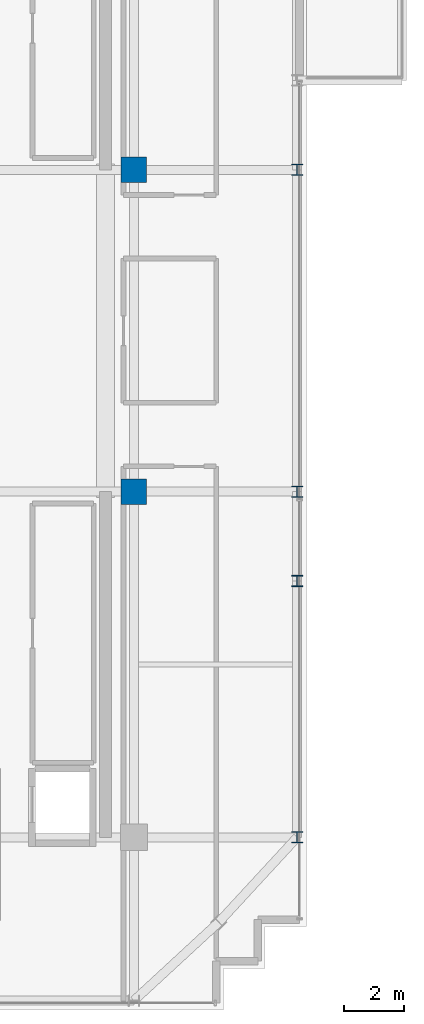
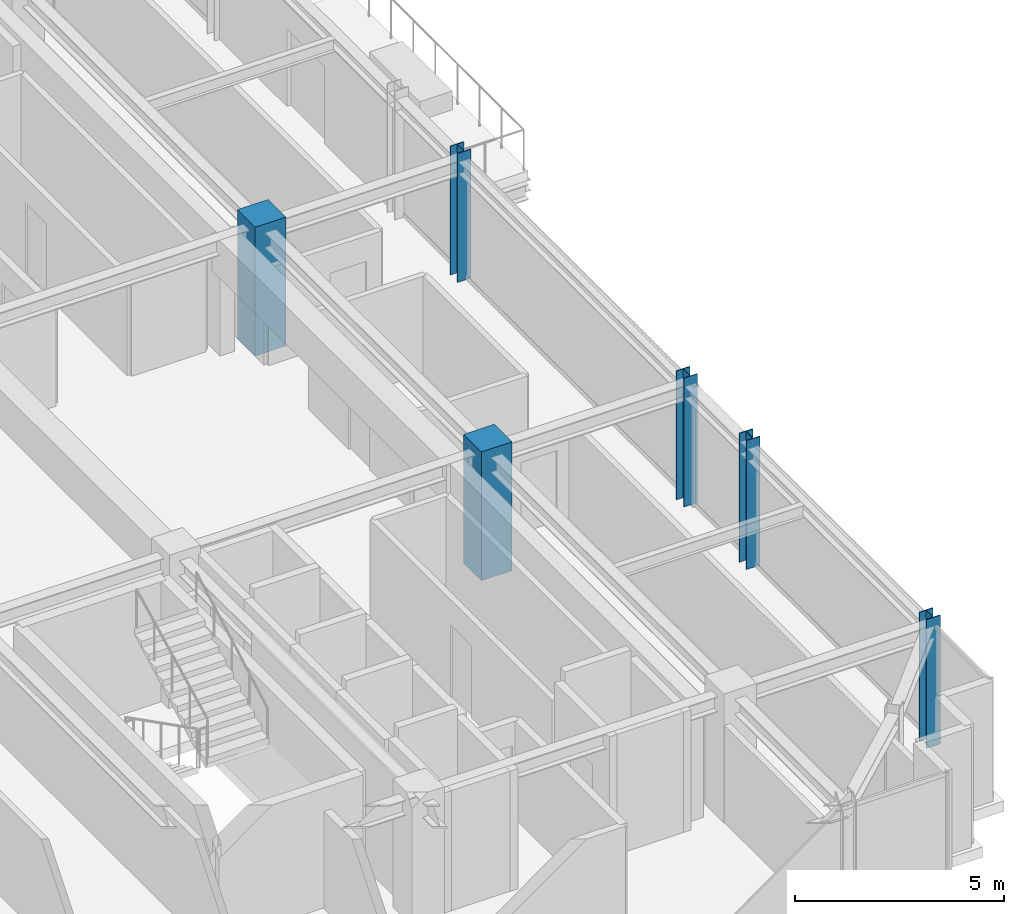
# One storey, part 2 of 32: 6 columns.
"""IFC4 building model written with IfcOpenShell, lengths in metres."""

from ifc_helpers import new_model, si_unit, direction, frame, origin, origin_2d, place, context, subcontext, project, spatial, rectangle, i_section, extrude, source, transform, mapped, material, material_profile, profile_set, type_object, element, save


model = new_model("IFC4")

# Units and contexts
model_context = context("Model", 3, precision=1e-05, world=origin(), true_north=direction((0.0, 1.0)))
body_context = subcontext(model_context, "Body", "Model", "MODEL_VIEW")
ifc_project = project(units=[si_unit("LENGTHUNIT", "METRE"), si_unit("AREAUNIT", "SQUARE_METRE"), si_unit("VOLUMEUNIT", "CUBIC_METRE"), si_unit("PLANEANGLEUNIT", "RADIAN"), si_unit("MASSUNIT", "GRAM", prefix="KILO")], contexts=[model_context])

# Site, building, storey
site_placement = place(None, origin())
site = spatial("IfcSite", under=ifc_project, at=site_placement, CompositionType="ELEMENT")
building_placement = place(site_placement, origin())
building = spatial("IfcBuilding", under=site, at=building_placement, Name="Nahalor Promenade Grand Hotel", CompositionType="ELEMENT")
storey_placement = place(building_placement, frame((0.0, 0.0, 330.949951171875)))
storey = spatial("IfcBuildingStorey", under=building, at=storey_placement, Name="L85", CompositionType="ELEMENT", Elevation=330.949951171875)

# Columns
ifc_material_1 = material(Name="Concrete B-70 (C60/75)", Category="concrete")
ifc_material_profile_1 = material_profile(ifc_material_1, rectangle(XDim=0.85, YDim=0.85, at=origin_2d()), Name="RC 850x850")
ifc_profile_set_1 = profile_set([ifc_material_profile_1], Name="Concrete B-70 (C60/75)")
column_type_1 = type_object("IfcColumnType", Name="Col-Pilaster-850", PredefinedType="PILASTER", material=ifc_profile_set_1)
shared_shape_1 = source(origin(), body_context, "Body", "SweptSolid", [
    extrude(rectangle(XDim=0.85, YDim=0.85, at=origin_2d()), origin(), (0.0, 0.0, 1.0), 3.755126953125),
])
for number, where, z_axis, x_axis, name in (
    (1, (17.0, -5.39990234375, 0.0), (0.0, 0.0, 1.0), (1.0, 0.0, 0.0), "COL-L85-I51"),
    (2, (17.0, 5.39990234375, 0.0), (0.0, 0.0, 1.0), (1.0, 0.0, 0.0), "COL-L85-I52"),
):
    element("IfcColumn", number, at=place(storey_placement, frame(where, z_axis=z_axis, x_axis=x_axis)), inside=storey, type_object=column_type_1, Name=name, PredefinedType="PILASTER", context=body_context, shape_type="MappedRepresentation", body=[
        mapped(shared_shape_1, transform((0.0, 0.0, 0.0), scale=1.0)),
    ])
ifc_material_2 = material(Name="Steel S355JR", Category="steel")
ifc_material_profile_2 = material_profile(ifc_material_2, i_section(OverallWidth=0.374, OverallDepth=0.374, WebThickness=0.0144, FlangeThickness=0.0229, at=origin_2d()), Name="HD 360x262")
ifc_profile_set_2 = profile_set([ifc_material_profile_2], Name="Steel S355JR")
column_type_2 = type_object("IfcColumnType", Name="Col-Steel-HD262", PredefinedType="COLUMN", material=ifc_profile_set_2)
shared_shape_2 = source(origin(), body_context, "Body", "SweptSolid", [
    extrude(i_section(OverallWidth=0.374, OverallDepth=0.374, WebThickness=0.0144, FlangeThickness=0.0229, at=origin_2d()), origin(), (0.0, 0.0, 1.0), 3.755126953125),
])
for number, where, z_axis, x_axis, name in (
    (3, (22.47998046875, -17.0, 0.0), (0.0, 0.0, 1.0), (1.0, 0.0, 0.0), "COL-L85-PW-E0"),
    (4, (22.47998046875, -8.39990234375, 0.0), (0.0, 0.0, 1.0), (1.0, 0.0, 0.0), "COL-L85-PW-E1"),
    (5, (22.47998046875, -5.39990234375, 0.0), (0.0, 0.0, 1.0), (1.0, 0.0, 0.0), "COL-L85-PW-E2"),
    (6, (22.47998046875, 5.39990234375, 0.0), (0.0, 0.0, 1.0), (1.0, 0.0, 0.0), "COL-L85-PW-E3"),
):
    element("IfcColumn", number, at=place(storey_placement, frame(where, z_axis=z_axis, x_axis=x_axis)), inside=storey, type_object=column_type_2, Name=name, PredefinedType="COLUMN", context=body_context, shape_type="MappedRepresentation", body=[
        mapped(shared_shape_2, transform((0.0, 0.0, 0.0), scale=1.0)),
    ])

save(model, "model.ifc")
